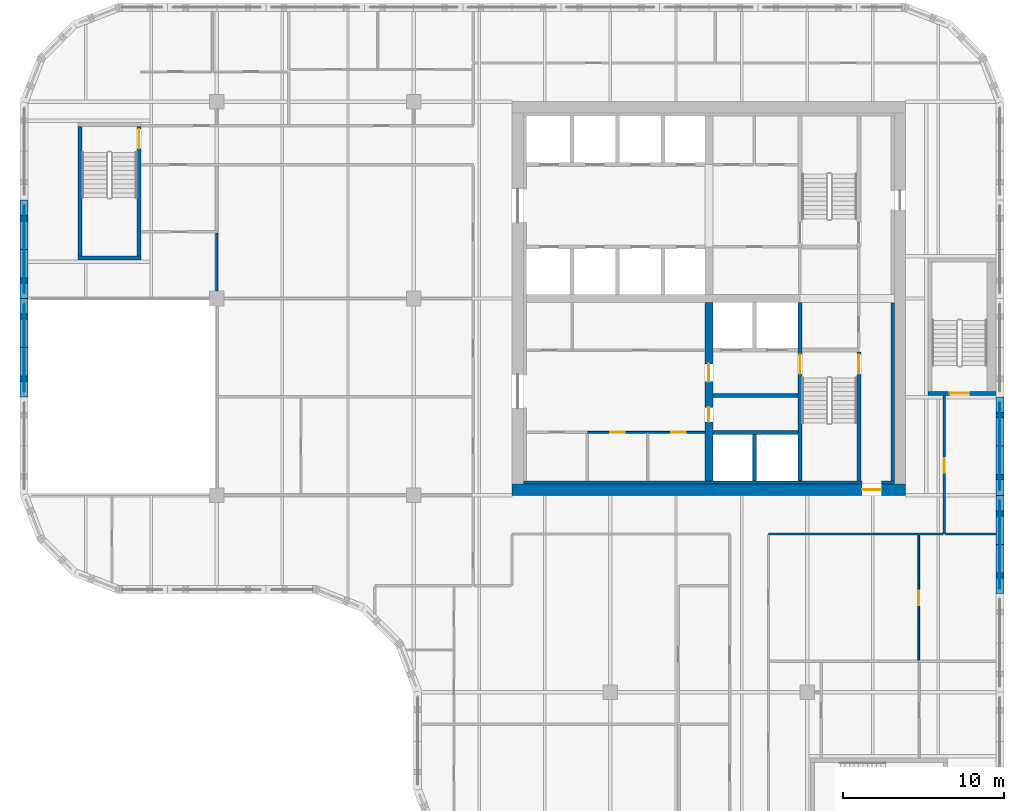
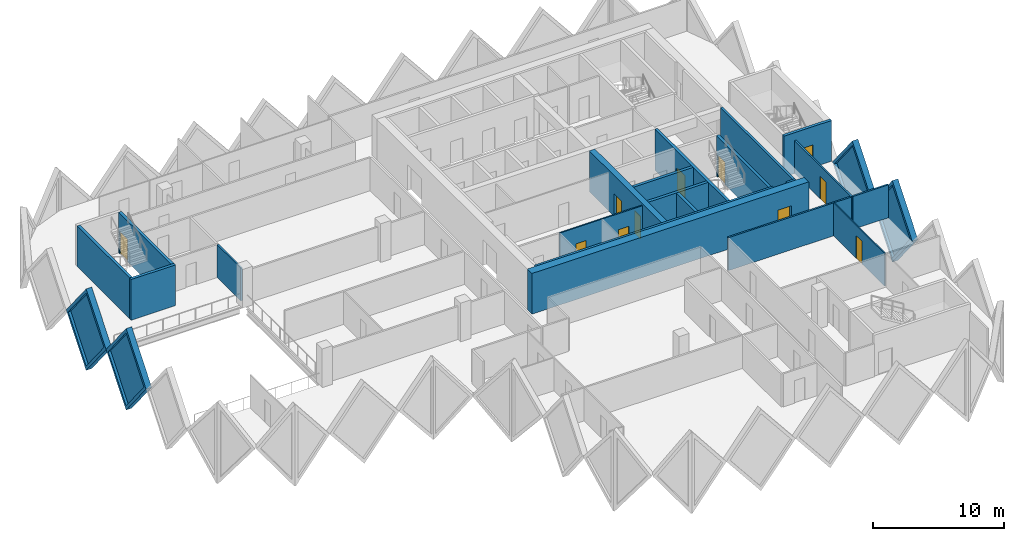
# One storey, part 6 of 12: 24 walls, 11 doors, 4 plates, 15 openings.
"""IFC4 building model written with IfcOpenShell, lengths in metres."""

import ifcopenshell
import ifcopenshell.guid

model = None  # the IFC model being written
_history = None  # IfcOwnerHistory: only IFC2X3 demands one
_inside = {}  # id of a spatial element -> (the spatial element, [elements in it])
_under = {}  # id of a project, library or spatial element -> (it, [spatial elements below it])
_declared = {}  # id of a project -> (the project, [libraries it declares])
_typed = {}  # id of a type object -> (the type object, [elements of that type])
_made_of = {}  # id of a material, layer set ... -> (it, [elements and type objects made of it])


def new_model(schema):
    """Start an empty IFC model of exactly this schema.

    Asked for "IFC4X3", IfcOpenShell would pick the latest addendum, in which some entities
    have other attributes; the version numbers below select the first issue.
    IFC2X3 requires an IfcOwnerHistory on every rooted entity: one is made here for all.
    """
    global model, _history
    if schema == "IFC4X3":
        model = ifcopenshell.file(schema_version=(4, 3, 0, 0))
    else:
        model = ifcopenshell.file(schema=schema)
    _inside.clear()
    _under.clear()
    _declared.clear()
    _typed.clear()
    _made_of.clear()
    _history = None
    if model.schema == "IFC2X3":
        org = make("IfcOrganization", Name="unknown")
        user = make(
            "IfcPersonAndOrganization",
            ThePerson=make("IfcPerson", FamilyName="unknown"),
            TheOrganization=org,
        )
        app = make(
            "IfcApplication",
            ApplicationDeveloper=org,
            Version="unknown",
            ApplicationFullName="unknown",
            ApplicationIdentifier="unknown",
        )
        _history = make(
            "IfcOwnerHistory",
            OwningUser=user,
            OwningApplication=app,
            ChangeAction="ADDED",
            CreationDate=0,
        )
    return model


def make(cls, **values):
    """One entity of the class cls with the attributes given. An attribute that is None is left unset."""
    return model.create_entity(
        cls, **{name: value for name, value in values.items() if value is not None}
    )


def rooted(cls, **values):
    """An entity with a GlobalId (a new one), such as an element, a storey or a relation."""
    return make(cls, GlobalId=ifcopenshell.guid.new(), OwnerHistory=_history, **values)


def si_unit(unit_type, name, prefix=None):
    """IfcSIUnit, for example si_unit("LENGTHUNIT", "METRE", prefix="MILLI")."""
    return make("IfcSIUnit", UnitType=unit_type, Prefix=prefix, Name=name)


def assignment(units):
    """IfcUnitAssignment: the units of a project."""
    return None if units is None else make("IfcUnitAssignment", Units=units)


def point(xyz):
    """IfcCartesianPoint."""
    return None if xyz is None else make("IfcCartesianPoint", Coordinates=xyz)


def direction(xyz):
    """IfcDirection."""
    return None if xyz is None else make("IfcDirection", DirectionRatios=xyz)


def frame(location, z_axis=None, x_axis=None):
    """IfcAxis2Placement3D, a coordinate frame: its origin and axes. An axis left out is left unset."""
    return make(
        "IfcAxis2Placement3D",
        Location=point(location),
        Axis=direction(z_axis),
        RefDirection=direction(x_axis),
    )


def frame_2d(location, x_axis=None):
    """IfcAxis2Placement2D, a coordinate frame in the plane: its origin and x axis."""
    return make(
        "IfcAxis2Placement2D", Location=point(location), RefDirection=direction(x_axis)
    )


def origin():
    """The frame at (0, 0, 0) with its axes left unset."""
    return frame((0.0, 0.0, 0.0))


def place(relative_to, where):
    """IfcLocalPlacement: puts the frame where relative to a parent placement (None: the world)."""
    return make(
        "IfcLocalPlacement", PlacementRelTo=relative_to, RelativePlacement=where
    )


def context(
    kind, dimensions, precision=None, world=None, true_north=None, identifier=None
):
    """IfcGeometricRepresentationContext, for example the 3D "Model" context."""
    return make(
        "IfcGeometricRepresentationContext",
        ContextIdentifier=identifier,
        ContextType=kind,
        CoordinateSpaceDimension=dimensions,
        Precision=precision,
        WorldCoordinateSystem=world,
        TrueNorth=true_north,
    )


def subcontext(parent, identifier, kind, view, scale=None):
    """IfcGeometricRepresentationSubContext, for example "Body" below "Model"."""
    return make(
        "IfcGeometricRepresentationSubContext",
        ContextIdentifier=identifier,
        ContextType=kind,
        ParentContext=parent,
        TargetScale=scale,
        TargetView=view,
    )


def project(units=None, contexts=None):
    """IfcProject with its units and contexts."""
    return rooted(
        "IfcProject",
        Name="project",
        RepresentationContexts=contexts,
        UnitsInContext=assignment(units),
    )


def spatial(cls, under=None, at=None, **own):
    """A site, building, storey or space (cls), placed at a placement, below another one or the project."""
    s = rooted(cls, ObjectPlacement=at, **own)
    if under is not None:
        _under.setdefault(under.id(), (under, []))[1].append(s)
    return s


def polyline(points):
    """IfcPolyline through the points."""
    return make("IfcPolyline", Points=[point(p) for p in points])


def profile(cls, at=None, kind="AREA", **sizes):
    """A parametric profile (cls). Its sizes go by their IFC names, for example OverallWidth=200.0."""
    return make(cls, ProfileType=kind, Position=at, **sizes)


def rectangle(**sizes):
    """IfcRectangleProfileDef."""
    return profile("IfcRectangleProfileDef", **sizes)


def outline(outer, holes=None, kind="AREA"):
    """IfcArbitraryClosedProfileDef: a profile drawn as a closed curve; with holes, ...WithVoids."""
    if holes is None:
        return make("IfcArbitraryClosedProfileDef", ProfileType=kind, OuterCurve=outer)
    return make(
        "IfcArbitraryProfileDefWithVoids",
        ProfileType=kind,
        OuterCurve=outer,
        InnerCurves=holes,
    )


def extrude(swept, where, along, depth):
    """IfcExtrudedAreaSolid: the profile swept, set in the frame where, extruded along a direction by depth."""
    return make(
        "IfcExtrudedAreaSolid",
        SweptArea=swept,
        Position=where,
        ExtrudedDirection=direction(along),
        Depth=depth,
    )


def faces_of(points, faces, orient=None, outer=None):
    """IfcFace entities. A face is a list of loops; a loop is a list of indices into points, from 0.

    orient and outer hold one flag for each loop. By default every Orientation is true, the
    first loop of a face is its IfcFaceOuterBound and the others are IfcFaceBound.
    """
    made = []
    for i, loops in enumerate(faces):
        bounds = []
        for j, loop in enumerate(loops):
            is_outer = j == 0 if outer is None else outer[i][j]
            bounds.append(
                make(
                    "IfcFaceOuterBound" if is_outer else "IfcFaceBound",
                    Bound=make("IfcPolyLoop", Polygon=[points[k] for k in loop]),
                    Orientation=True if orient is None else orient[i][j],
                )
            )
        made.append(make("IfcFace", Bounds=bounds))
    return made


def faceted_brep(points, faces, orient=None, outer=None, voids=None):
    """IfcFacetedBrep: a solid bounded by flat faces; with voids (closed shells), ...WithVoids."""
    shared = [point(p) for p in points]
    hull = make("IfcClosedShell", CfsFaces=faces_of(shared, faces, orient, outer))
    if voids is None:
        return make("IfcFacetedBrep", Outer=hull)
    return make(
        "IfcFacetedBrepWithVoids",
        Outer=hull,
        Voids=[
            make(cls, CfsFaces=faces_of(shared, fs, o, b)) for cls, fs, o, b in voids
        ],
    )


def shape(context_of_items, identifier, shape_type, items):
    """IfcShapeRepresentation: the items that make up one representation, for example the "Body"."""
    return make(
        "IfcShapeRepresentation",
        ContextOfItems=context_of_items,
        RepresentationIdentifier=identifier,
        RepresentationType=shape_type,
        Items=items,
    )


def source(mapping_origin, context_of_items, identifier, shape_type, items):
    """IfcRepresentationMap: a shape defined once, which mapped items show again and again."""
    return make(
        "IfcRepresentationMap",
        MappingOrigin=mapping_origin,
        MappedRepresentation=shape(context_of_items, identifier, shape_type, items),
    )


def transform(
    local_origin,
    x_axis=None,
    y_axis=None,
    z_axis=None,
    scale=None,
    scale2=None,
    scale3=None,
    uniform=True,
):
    """IfcCartesianTransformationOperator3D, or its non-uniform kind. x_axis, y_axis, z_axis: its Axis1, 2, 3."""
    if uniform:
        return make(
            "IfcCartesianTransformationOperator3D",
            Axis1=direction(x_axis),
            Axis2=direction(y_axis),
            LocalOrigin=point(local_origin),
            Scale=scale,
            Axis3=direction(z_axis),
        )
    return make(
        "IfcCartesianTransformationOperator3DnonUniform",
        Axis1=direction(x_axis),
        Axis2=direction(y_axis),
        LocalOrigin=point(local_origin),
        Scale=scale,
        Axis3=direction(z_axis),
        Scale2=scale2,
        Scale3=scale3,
    )


def mapped(mapping_source, mapping_target):
    """IfcMappedItem: shows the shape of a source again, moved by a transform."""
    return make(
        "IfcMappedItem", MappingSource=mapping_source, MappingTarget=mapping_target
    )


def material(Name=None, Category=None):
    """IfcMaterial."""
    return make("IfcMaterial", Name=Name, Category=Category)


def layer(
    of_material, thickness, ventilated=None, Name=None, Category=None, Priority=None
):
    """IfcMaterialLayer: one layer of a wall or slab, of a material (None: an air gap)."""
    return make(
        "IfcMaterialLayer",
        Material=of_material,
        LayerThickness=thickness,
        IsVentilated=ventilated,
        Name=Name,
        Category=Category,
        Priority=Priority,
    )


def layer_set(layers, Name=None):
    """IfcMaterialLayerSet."""
    return make("IfcMaterialLayerSet", MaterialLayers=layers, LayerSetName=Name)


def made_of(thing, what):
    """Note that an element or type object is made of a material, layer set ...; save() writes the relation."""
    if what is not None:
        _made_of.setdefault(what.id(), (what, []))[1].append(thing)
    return thing


def type_object(cls, material=None, **own):
    """A type object (cls), such as IfcWallType, which elements share."""
    return made_of(rooted(cls, **own), material)


def element(
    cls,
    number,
    at=None,
    inside=None,
    cuts=None,
    type_object=None,
    material=None,
    context=None,
    identifier="Body",
    shape_type=None,
    held_by="IfcProductDefinitionShape",
    body=None,
    shapes=None,
    **own,
):
    """One element of the class cls, such as IfcWall. Its Tag is "e" and its number.

    at: its placement. inside: the storey or other place that contains it. cuts: it is an
    opening in that element (IfcRelVoidsElement). A single representation is given by context,
    identifier, shape_type and body (its items); several are given by shapes. held_by: the class
    of the entity that holds the representations. save() writes the other relations.
    """
    e = rooted(cls, Tag="e%d" % number, ObjectPlacement=at, **own)
    if body is not None:
        shapes = [shape(context, identifier, shape_type, body)]
    if shapes is not None:
        e.Representation = make(held_by, Representations=shapes)
    if inside is not None:
        _inside.setdefault(inside.id(), (inside, []))[1].append(e)
    if cuts is not None:
        rooted(
            "IfcRelVoidsElement", RelatingBuildingElement=cuts, RelatedOpeningElement=e
        )
    if type_object is not None:
        _typed.setdefault(type_object.id(), (type_object, []))[1].append(e)
    return made_of(e, material)


def fill(opening, filler):
    """IfcRelFillsElement: the door or window that sits in an opening."""
    return rooted(
        "IfcRelFillsElement",
        RelatingOpeningElement=opening,
        RelatedBuildingElement=filler,
    )


def aggregate(whole, parts):
    """IfcRelAggregates: a whole, such as a stair, and the parts it consists of."""
    return rooted("IfcRelAggregates", RelatingObject=whole, RelatedObjects=parts)


def save(model, path):
    """Write the relations noted so far, then the file.

    IfcRelAggregates (storeys below a building ...), IfcRelContainedInSpatialStructure (elements
    in a storey), IfcRelDefinesByType, IfcRelAssociatesMaterial and IfcRelDeclares: one each for
    every whole, place, type object, material and project.
    """
    for whole, parts in _under.values():
        aggregate(whole, parts)
    for where, things in _inside.values():
        rooted(
            "IfcRelContainedInSpatialStructure",
            RelatedElements=things,
            RelatingStructure=where,
        )
    for kind, things in _typed.values():
        rooted("IfcRelDefinesByType", RelatedObjects=things, RelatingType=kind)
    for what, things in _made_of.values():
        rooted("IfcRelAssociatesMaterial", RelatedObjects=things, RelatingMaterial=what)
    for by, libraries in _declared.values():
        rooted("IfcRelDeclares", RelatingContext=by, RelatedDefinitions=libraries)
    model.write(path)


model = new_model("IFC4")

# Units and contexts
model_context = context("Model", 3, precision=1e-05, world=origin(), true_north=direction((0.0, 1.0)))
body_context = subcontext(model_context, "Body", "Model", "MODEL_VIEW")
ifc_project = project(units=[si_unit("LENGTHUNIT", "METRE"), si_unit("AREAUNIT", "SQUARE_METRE"), si_unit("VOLUMEUNIT", "CUBIC_METRE"), si_unit("PLANEANGLEUNIT", "RADIAN"), si_unit("MASSUNIT", "GRAM", prefix="KILO")], contexts=[model_context])

# Site, building, storey
site_placement = place(None, origin())
site = spatial("IfcSite", under=ifc_project, at=site_placement, CompositionType="ELEMENT")
building_placement = place(site_placement, origin())
building = spatial("IfcBuilding", under=site, at=building_placement, Name="Tessera Gate Towers", CompositionType="ELEMENT")
storey_placement = place(building_placement, frame((0.0, 0.0, 143.0)))
storey = spatial("IfcBuildingStorey", under=building, at=storey_placement, Name="L35", CompositionType="ELEMENT", Elevation=143.0)

# Wall, opening, door
ifc_material_1 = material(Name="Concrete C40/50", Category="concrete")
ifc_layer_1 = layer(ifc_material_1, 0.25)
ifc_layer_set_1 = layer_set([ifc_layer_1], Name="CORE ENCLOSURE WALL 250")
wall_type_1 = type_object("IfcWallType", Name="CORE ENCLOSURE WALL 250", PredefinedType="SOLIDWALL", material=ifc_layer_set_1)
wall_1_placement = place(storey_placement, frame((48.35009765625, 36.35009765625, 0.0), z_axis=(0.0, 0.0, 1.0), x_axis=(0.0, -1.0, 0.0)))
wall_1 = element("IfcWall", 1, at=wall_1_placement, inside=storey, type_object=wall_type_1, Name="L35 shaft and stair enclosure wall", PredefinedType="SOLIDWALL", context=body_context, shape_type="SweptSolid", body=[
    extrude(rectangle(XDim=11.050048828125, YDim=0.25, at=frame_2d((5.52490234375, 0.0))), origin(), (0.0, 0.0, 1.0), 3.800048828125),
])
shared_shape_1 = source(origin(), body_context, "Body", "SweptSolid", [
    extrude(rectangle(XDim=1.199951171875, YDim=2.10009765625, at=frame_2d((0.60009765625, 1.050048828125))), frame((0.0, 0.135009765625, 0.0), z_axis=(0.0, -1.0, 0.0), x_axis=(1.0, 0.0, 0.0)), (0.0, 0.0, 1.0), 0.27001953125),
])
opening_1_placement = place(wall_1_placement, frame((3.22509765625, 0.0, 0.0)))
opening_1 = element("IfcOpeningElement", 2, at=opening_1_placement, cuts=wall_1, Name="Opening SD-ST1-1", PredefinedType="OPENING", context=body_context, shape_type="MappedRepresentation", body=[
    mapped(shared_shape_1, transform((0.0, 0.0, 0.0), scale=1.0)),
])
ifc_material_2 = material(Name="Hollow steel fire door", Category="steel")
door_type_1 = type_object("IfcDoorType", Name="CORE DOOR SD 1200x2100", OperationType="NOTDEFINED", PredefinedType="DOOR", material=ifc_material_2)
shared_shape_2 = source(origin(), body_context, "Body", "SweptSolid", [
    extrude(rectangle(XDim=1.199951171875, YDim=2.10009765625, at=frame_2d((0.60009765625, 1.050048828125))), frame((0.0, 0.02490234375, 0.0), z_axis=(0.0, -1.0, 0.0), x_axis=(1.0, 0.0, 0.0)), (0.0, 0.0, 1.0), 0.050048828125),
])
door_1_placement = place(opening_1_placement, origin())
door_1 = element("IfcDoor", 3, at=door_1_placement, inside=storey, type_object=door_type_1, Name="Stair door", OperationType="SINGLE_SWING_LEFT", OverallHeight=2.10009765625, OverallWidth=1.199951171875, PredefinedType="DOOR", context=body_context, shape_type="MappedRepresentation", body=[
    mapped(shared_shape_2, transform((0.0, 0.0, 0.0), scale=1.0)),
])
fill(opening_1, door_1)

wall_2_placement = place(storey_placement, frame((52.0, 25.300048828125, 0.0), z_axis=(0.0, 0.0, 1.0), x_axis=(0.0, 1.0, 0.0)))
wall_2 = element("IfcWall", 4, at=wall_2_placement, inside=storey, type_object=wall_type_1, Name="L35 shaft and stair enclosure wall", PredefinedType="SOLIDWALL", context=body_context, shape_type="SweptSolid", body=[
    extrude(rectangle(XDim=7.974853515625, YDim=0.25, at=frame_2d((3.9873046875, 0.0))), origin(), (0.0, 0.0, 1.0), 3.800048828125),
])
opening_2_placement = place(wall_2_placement, frame((6.625, 0.0, 0.0)))
opening_2 = element("IfcOpeningElement", 5, at=opening_2_placement, cuts=wall_2, Name="Opening SD-ST1-2", PredefinedType="OPENING", context=body_context, shape_type="MappedRepresentation", body=[
    mapped(shared_shape_1, transform((0.0, 0.0, 0.0), scale=1.0)),
])
door_2_placement = place(opening_2_placement, origin())
door_2 = element("IfcDoor", 6, at=door_2_placement, inside=storey, type_object=door_type_1, Name="Stair door", OperationType="SINGLE_SWING_RIGHT", OverallHeight=2.10009765625, OverallWidth=1.199951171875, PredefinedType="DOOR", context=body_context, shape_type="MappedRepresentation", body=[
    mapped(shared_shape_2, transform((0.0, 0.0, 0.0), scale=1.0)),
])
fill(opening_2, door_2)

# Walls
for number, where, z_axis, x_axis, name in (
    (7, (42.949951171875, 28.300048828125, 0.0), (0.0, 0.0, 1.0), (1.0, 0.0, 0.0), "L35 shaft and stair enclosure wall"),
    (8, (42.949951171875, 30.60009765625, 0.0), (0.0, 0.0, 1.0), (1.0, 0.0, 0.0), "L35 shaft and stair enclosure wall"),
):
    element("IfcWall", number, at=place(storey_placement, frame(where, z_axis=z_axis, x_axis=x_axis)), inside=storey, type_object=wall_type_1, Name=name, PredefinedType="SOLIDWALL", context=body_context, shape_type="SweptSolid", body=[
        extrude(rectangle(XDim=5.275146484375, YDim=0.25, at=frame_2d((2.6376953125, 0.0))), origin(), (0.0, 0.0, 1.0), 3.800048828125),
    ])
wall_3_placement = place(storey_placement, frame((45.52490234375, 25.300048828125, 0.0), z_axis=(0.0, 0.0, 1.0), x_axis=(0.0, 1.0, 0.0)))
element("IfcWall", 9, at=wall_3_placement, inside=storey, type_object=wall_type_1, Name="L35 shaft and stair enclosure wall", PredefinedType="SOLIDWALL", context=body_context, shape_type="SweptSolid", body=[
    extrude(rectangle(XDim=2.875, YDim=0.25, at=frame_2d((1.4375, 0.0))), origin(), (0.0, 0.0, 1.0), 3.800048828125),
])
wall_4_placement = place(storey_placement, frame((7.5, 39.125, 0.0), z_axis=(0.0, 0.0, 1.0), x_axis=(-1.0, 0.0, 0.0)))
element("IfcWall", 10, at=wall_4_placement, inside=storey, type_object=wall_type_1, Name="L35 ST3 enclosure wall", PredefinedType="SOLIDWALL", context=body_context, shape_type="SweptSolid", body=[
    extrude(rectangle(XDim=3.89990234375, YDim=0.25, at=frame_2d((1.949951171875, 0.0))), origin(), (0.0, 0.0, 1.0), 3.800048828125),
])
wall_5_placement = place(storey_placement, frame((3.72509765625, 39.25, 0.0), z_axis=(0.0, 0.0, 1.0), x_axis=(0.0, 1.0, 0.0)))
element("IfcWall", 11, at=wall_5_placement, inside=storey, type_object=wall_type_1, Name="L35 ST3 enclosure wall", PredefinedType="SOLIDWALL", context=body_context, shape_type="SweptSolid", body=[
    extrude(rectangle(XDim=8.0, YDim=0.25, at=frame_2d((4.0, 0.0))), origin(), (0.0, 0.0, 1.0), 3.800048828125),
])

# Wall, opening, door
wall_6_placement = place(storey_placement, frame((7.375, 47.25, 0.0), z_axis=(0.0, 0.0, 1.0), x_axis=(0.0, -1.0, 0.0)))
wall_6 = element("IfcWall", 12, at=wall_6_placement, inside=storey, type_object=wall_type_1, Name="L35 ST3 enclosure wall", PredefinedType="SOLIDWALL", context=body_context, shape_type="SweptSolid", body=[
    extrude(rectangle(XDim=8.0, YDim=0.25, at=frame_2d((4.0, 0.0))), origin(), (0.0, 0.0, 1.0), 3.800048828125),
])
opening_3_placement = place(wall_6_placement, frame((0.14990234375, 0.0, 0.0)))
opening_3 = element("IfcOpeningElement", 13, at=opening_3_placement, cuts=wall_6, Name="Opening SD-ST3-1", PredefinedType="OPENING", context=body_context, shape_type="MappedRepresentation", body=[
    mapped(shared_shape_1, transform((0.0, 0.0, 0.0), scale=1.0)),
])
door_3_placement = place(opening_3_placement, origin())
door_3 = element("IfcDoor", 14, at=door_3_placement, inside=storey, type_object=door_type_1, Name="Stair door", OperationType="SINGLE_SWING_LEFT", OverallHeight=2.10009765625, OverallWidth=1.199951171875, PredefinedType="DOOR", context=body_context, shape_type="MappedRepresentation", body=[
    mapped(shared_shape_2, transform((0.0, 0.0, 0.0), scale=1.0)),
])
fill(opening_3, door_3)

wall_7_placement = place(storey_placement, frame((60.5, 30.72509765625, 0.0), z_axis=(0.0, 0.0, 1.0), x_axis=(-1.0, 0.0, 0.0)))
wall_7 = element("IfcWall", 15, at=wall_7_placement, inside=storey, type_object=wall_type_1, Name="L35 ST5 enclosure wall", PredefinedType="SOLIDWALL", context=body_context, shape_type="SweptSolid", body=[
    extrude(rectangle(XDim=4.199951171875, YDim=0.25, at=frame_2d((2.10009765625, 0.0))), origin(), (0.0, 0.0, 1.0), 3.800048828125),
])
opening_4_placement = place(wall_7_placement, frame((1.64990234375, 0.0, 0.0)))
opening_4 = element("IfcOpeningElement", 16, at=opening_4_placement, cuts=wall_7, Name="Opening SD-ST5-1", PredefinedType="OPENING", context=body_context, shape_type="MappedRepresentation", body=[
    mapped(shared_shape_1, transform((0.0, 0.0, 0.0), scale=1.0)),
])
door_4_placement = place(opening_4_placement, origin())
door_4 = element("IfcDoor", 17, at=door_4_placement, inside=storey, type_object=door_type_1, Name="Stair door", OperationType="SINGLE_SWING_RIGHT", OverallHeight=2.10009765625, OverallWidth=1.199951171875, PredefinedType="DOOR", context=body_context, shape_type="MappedRepresentation", body=[
    mapped(shared_shape_2, transform((0.0, 0.0, 0.0), scale=1.0)),
])
fill(opening_4, door_4)

# Wall, openings, doors
ifc_material_3 = material(Name="Gypsum board on steel studs", Category="steel")
ifc_layer_2 = layer(ifc_material_3, 0.1201171875)
ifc_layer_set_2 = layer_set([ifc_layer_2], Name="CORE PARTITION 120")
wall_type_2 = type_object("IfcWallType", Name="CORE PARTITION 120", PredefinedType="PARTITIONING", material=ifc_layer_set_2)
wall_8_placement = place(storey_placement, frame((42.449951171875, 28.300048828125, 0.0), z_axis=(0.0, 0.0, 1.0), x_axis=(-1.0, 0.0, 0.0)))
wall_8 = element("IfcWall", 18, at=wall_8_placement, inside=storey, type_object=wall_type_2, Name="L35 core partition", PredefinedType="PARTITIONING", context=body_context, shape_type="SweptSolid", body=[
    extrude(rectangle(XDim=7.27490234375, YDim=0.1201171875, at=frame_2d((3.637451171875, 0.0))), origin(), (0.0, 0.0, 1.0), 3.60009765625),
])
shared_shape_3 = source(origin(), body_context, "Body", "SweptSolid", [
    extrude(rectangle(XDim=0.89990234375, YDim=2.10009765625, at=frame_2d((0.449951171875, 1.050048828125))), frame((0.0, 0.070068359375, 0.0), z_axis=(0.0, -1.0, 0.0), x_axis=(1.0, 0.0, 0.0)), (0.0, 0.0, 1.0), 0.14013671875),
])
opening_5_placement = place(wall_8_placement, frame((4.949951171875, 0.0, 0.0)))
opening_5 = element("IfcOpeningElement", 19, at=opening_5_placement, cuts=wall_8, Name="Opening RD-T1-23-09", PredefinedType="OPENING", context=body_context, shape_type="MappedRepresentation", body=[
    mapped(shared_shape_3, transform((0.0, 0.0, 0.0), scale=1.0)),
])
opening_6_placement = place(wall_8_placement, frame((1.1875, 0.0, 0.0)))
opening_6 = element("IfcOpeningElement", 20, at=opening_6_placement, cuts=wall_8, Name="Opening RD-T1-23-10", PredefinedType="OPENING", context=body_context, shape_type="MappedRepresentation", body=[
    mapped(shared_shape_3, transform((0.0, 0.0, 0.0), scale=1.0)),
])
ifc_material_4 = material(Name="Hollow steel fire door", Category="steel")
door_type_2 = type_object("IfcDoorType", Name="CORE DOOR RD 900x2100", OperationType="NOTDEFINED", PredefinedType="DOOR", material=ifc_material_4)
shared_shape_4 = source(origin(), body_context, "Body", "SweptSolid", [
    extrude(rectangle(XDim=0.89990234375, YDim=2.10009765625, at=frame_2d((0.449951171875, 1.050048828125))), frame((0.0, 0.02490234375, 0.0), z_axis=(0.0, -1.0, 0.0), x_axis=(1.0, 0.0, 0.0)), (0.0, 0.0, 1.0), 0.050048828125),
])
door_5_placement = place(opening_5_placement, origin())
door_5 = element("IfcDoor", 21, at=door_5_placement, inside=storey, type_object=door_type_2, Name="Core room door", OperationType="SINGLE_SWING_RIGHT", OverallHeight=2.10009765625, OverallWidth=0.89990234375, PredefinedType="DOOR", context=body_context, shape_type="MappedRepresentation", body=[
    mapped(shared_shape_4, transform((0.0, 0.0, 0.0), scale=1.0)),
])
fill(opening_5, door_5)
door_6_placement = place(opening_6_placement, origin())
door_6 = element("IfcDoor", 22, at=door_6_placement, inside=storey, type_object=door_type_2, Name="Core room door", OperationType="SINGLE_SWING_LEFT", OverallHeight=2.10009765625, OverallWidth=0.89990234375, PredefinedType="DOOR", context=body_context, shape_type="MappedRepresentation", body=[
    mapped(shared_shape_4, transform((0.0, 0.0, 0.0), scale=1.0)),
])
fill(opening_6, door_6)

# Wall, opening, door
ifc_material_5 = material(Name="Concrete C60/75", Category="concrete")
ifc_layer_3 = layer(ifc_material_5, 0.699951171875)
ifc_layer_set_3 = layer_set([ifc_layer_3], Name="CORE SHEAR WALL 700 C60/75")
wall_type_3 = type_object("IfcWallType", Name="CORE SHEAR WALL 700 C60/75", PredefinedType="SHEAR", material=ifc_layer_set_3)
wall_9_placement = place(storey_placement, frame((54.89990234375, 24.75, 0.0), z_axis=(0.0, 0.0, 1.0), x_axis=(-1.0, 0.0, 0.0)))
wall_9 = element("IfcWall", 23, at=wall_9_placement, inside=storey, type_object=wall_type_3, Name="Core wall S L35", PredefinedType="SHEAR", context=body_context, shape_type="SweptSolid", body=[
    extrude(rectangle(XDim=24.39990234375, YDim=0.699951171875, at=frame_2d((12.199951171875, 0.0))), origin(), (0.0, 0.0, 1.0), 3.800048828125),
])
shared_shape_5 = source(origin(), body_context, "Body", "SweptSolid", [
    extrude(rectangle(XDim=1.199951171875, YDim=2.10009765625, at=frame_2d((0.60009765625, 1.050048828125))), frame((0.0, 0.35986328125, 0.0), z_axis=(0.0, -1.0, 0.0), x_axis=(1.0, 0.0, 0.0)), (0.0, 0.0, 1.0), 0.719970703125),
])
opening_7_placement = place(wall_9_placement, frame((1.5, 0.0, 0.0)))
opening_7 = element("IfcOpeningElement", 24, at=opening_7_placement, cuts=wall_9, Name="Opening ED-T1-23-01", PredefinedType="OPENING", context=body_context, shape_type="MappedRepresentation", body=[
    mapped(shared_shape_5, transform((0.0, 0.0, 0.0), scale=1.0)),
])
ifc_material_6 = material(Name="Hollow steel fire door", Category="steel")
door_type_3 = type_object("IfcDoorType", Name="CORE DOOR ED 1200x2100", OperationType="NOTDEFINED", PredefinedType="DOOR", material=ifc_material_6)
door_7_placement = place(opening_7_placement, origin())
door_7 = element("IfcDoor", 25, at=door_7_placement, inside=storey, type_object=door_type_3, Name="Core exit door", OperationType="SINGLE_SWING_LEFT", OverallHeight=2.10009765625, OverallWidth=1.199951171875, PredefinedType="DOOR", context=body_context, shape_type="MappedRepresentation", body=[
    mapped(shared_shape_2, transform((0.0, 0.0, 0.0), scale=1.0)),
])
fill(opening_7, door_7)

# Wall, openings, doors
ifc_material_7 = material(Name="Concrete C60/75", Category="concrete")
ifc_layer_4 = layer(ifc_material_7, 0.5)
ifc_layer_set_4 = layer_set([ifc_layer_4], Name="CORE SPINE WALL 500 C60/75")
wall_type_4 = type_object("IfcWallType", Name="CORE SPINE WALL 500 C60/75", PredefinedType="SHEAR", material=ifc_layer_set_4)
wall_10_placement = place(storey_placement, frame((42.699951171875, 36.35009765625, 0.0), z_axis=(0.0, 0.0, 1.0), x_axis=(0.0, -1.0, 0.0)))
wall_10 = element("IfcWall", 26, at=wall_10_placement, inside=storey, type_object=wall_type_4, Name="Core wall spine L35", PredefinedType="SHEAR", context=body_context, shape_type="SweptSolid", body=[
    extrude(rectangle(XDim=11.050048828125, YDim=0.5, at=frame_2d((5.52490234375, 0.0))), origin(), (0.0, 0.0, 1.0), 3.800048828125),
])
shared_shape_6 = source(origin(), body_context, "Body", "SweptSolid", [
    extrude(rectangle(XDim=0.89990234375, YDim=2.10009765625, at=frame_2d((0.449951171875, 1.050048828125))), frame((0.0, 0.260009765625, 0.0), z_axis=(0.0, -1.0, 0.0), x_axis=(1.0, 0.0, 0.0)), (0.0, 0.0, 1.0), 0.52001953125),
])
opening_8_placement = place(wall_10_placement, frame((6.5, 0.0, 0.0)))
opening_8 = element("IfcOpeningElement", 27, at=opening_8_placement, cuts=wall_10, Name="Opening RD-T1-23-05", PredefinedType="OPENING", context=body_context, shape_type="MappedRepresentation", body=[
    mapped(shared_shape_6, transform((0.0, 0.0, 0.0), scale=1.0)),
])
shared_shape_7 = source(origin(), body_context, "Body", "SweptSolid", [
    extrude(rectangle(XDim=1.10009765625, YDim=2.10009765625, at=frame_2d((0.550048828125, 1.050048828125))), frame((0.0, 0.260009765625, 0.0), z_axis=(0.0, -1.0, 0.0), x_axis=(1.0, 0.0, 0.0)), (0.0, 0.0, 1.0), 0.52001953125),
])
opening_9_placement = place(wall_10_placement, frame((3.800048828125, 0.0, 0.0)))
opening_9 = element("IfcOpeningElement", 28, at=opening_9_placement, cuts=wall_10, Name="Opening FD-T1-23-06", PredefinedType="OPENING", context=body_context, shape_type="MappedRepresentation", body=[
    mapped(shared_shape_7, transform((0.0, 0.0, 0.0), scale=1.0)),
])
door_8_placement = place(opening_8_placement, origin())
door_8 = element("IfcDoor", 29, at=door_8_placement, inside=storey, type_object=door_type_2, Name="Core room door", OperationType="SINGLE_SWING_RIGHT", OverallHeight=2.10009765625, OverallWidth=0.89990234375, PredefinedType="DOOR", context=body_context, shape_type="MappedRepresentation", body=[
    mapped(shared_shape_4, transform((0.0, 0.0, 0.0), scale=1.0)),
])
fill(opening_8, door_8)
ifc_material_8 = material(Name="Hollow steel fire door", Category="steel")
door_type_4 = type_object("IfcDoorType", Name="CORE DOOR FD 1100x2100", OperationType="NOTDEFINED", PredefinedType="DOOR", material=ifc_material_8)
shared_shape_8 = source(origin(), body_context, "Body", "SweptSolid", [
    extrude(rectangle(XDim=1.10009765625, YDim=2.10009765625, at=frame_2d((0.550048828125, 1.050048828125))), frame((0.0, 0.02490234375, 0.0), z_axis=(0.0, -1.0, 0.0), x_axis=(1.0, 0.0, 0.0)), (0.0, 0.0, 1.0), 0.050048828125),
])
door_9_placement = place(opening_9_placement, origin())
door_9 = element("IfcDoor", 30, at=door_9_placement, inside=storey, type_object=door_type_4, Name="Fire-fighting lobby door", OperationType="SINGLE_SWING_LEFT", OverallHeight=2.10009765625, OverallWidth=1.10009765625, PredefinedType="DOOR", context=body_context, shape_type="MappedRepresentation", body=[
    mapped(shared_shape_8, transform((0.0, 0.0, 0.0), scale=1.0)),
])
fill(opening_9, door_9)

# Walls
ifc_material_9 = material(Name="Concrete C60/75", Category="concrete")
ifc_layer_5 = layer(ifc_material_9, 0.199951171875)
ifc_layer_set_5 = layer_set([ifc_layer_5], Name="CORE WALL THICKENING 200")
wall_type_5 = type_object("IfcWallType", Name="CORE WALL THICKENING 200", PredefinedType="SOLIDWALL", material=ifc_layer_set_5)
wall_11_placement = place(storey_placement, frame((31.199951171875, 25.199951171875, 0.0), z_axis=(0.0, 0.0, 1.0), x_axis=(1.0, 0.0, 0.0)))
element("IfcWall", 31, at=wall_11_placement, inside=storey, type_object=wall_type_5, Name="Core wall thickening S L35", PredefinedType="SOLIDWALL", context=body_context, shape_type="SweptSolid", body=[
    extrude(rectangle(XDim=21.0, YDim=0.199951171875, at=frame_2d((10.5, 0.0))), origin(), (0.0, 0.0, 1.0), 3.800048828125),
])
wall_12_placement = place(storey_placement, frame((53.39990234375, 25.199951171875, 0.0), z_axis=(0.0, 0.0, 1.0), x_axis=(1.0, 0.0, 0.0)))
element("IfcWall", 32, at=wall_12_placement, inside=storey, type_object=wall_type_5, Name="Core wall thickening S L35", PredefinedType="SOLIDWALL", context=body_context, shape_type="SweptSolid", body=[
    extrude(rectangle(XDim=0.800048828125, YDim=0.199951171875, at=frame_2d((0.39990234375, 0.0))), origin(), (0.0, 0.0, 1.0), 3.800048828125),
])
wall_13_placement = place(storey_placement, frame((54.10009765625, 25.300048828125, 0.0), z_axis=(0.0, 0.0, 1.0), x_axis=(0.0, 1.0, 0.0)))
element("IfcWall", 33, at=wall_13_placement, inside=storey, type_object=wall_type_5, Name="Core wall thickening E L35", PredefinedType="SOLIDWALL", context=body_context, shape_type="SweptSolid", body=[
    extrude(rectangle(XDim=11.02001953125, YDim=0.199951171875, at=frame_2d((5.510009765625, 0.0))), origin(), (0.0, 0.0, 1.0), 3.800048828125),
])
ifc_material_10 = material(Name="Gypsum board on steel studs, mineral wool", Category="steel")
ifc_layer_6 = layer(ifc_material_10, 0.14990234375)
ifc_layer_set_6 = layer_set([ifc_layer_6], Name="CORRIDOR WALL 150")
wall_type_6 = type_object("IfcWallType", Name="CORRIDOR WALL 150", PredefinedType="PARTITIONING", material=ifc_layer_set_6)
wall_14_placement = place(storey_placement, frame((46.39990234375, 22.0, 0.0), z_axis=(0.0, 0.0, 1.0), x_axis=(1.0, 0.0, 0.0)))
element("IfcWall", 34, at=wall_14_placement, inside=storey, type_object=wall_type_6, Name="T1-L35-PW-028", PredefinedType="PARTITIONING", context=body_context, shape_type="SweptSolid", body=[
    extrude(rectangle(XDim=10.82421875, YDim=0.14990234375, at=frame_2d((5.412109375, 0.0))), origin(), (0.0, 0.0, 1.0), 3.06689453125),
])

# Wall, opening, door
wall_15_placement = place(storey_placement, frame((57.300048828125, 30.60009765625, 0.0), z_axis=(0.0, 0.0, 1.0), x_axis=(0.0, -1.0, 0.0)))
wall_15 = element("IfcWall", 35, at=wall_15_placement, inside=storey, type_object=wall_type_6, Name="T1-L35-PW-029", PredefinedType="PARTITIONING", context=body_context, shape_type="SweptSolid", body=[
    extrude(rectangle(XDim=8.60009765625, YDim=0.14990234375, at=frame_2d((4.300048828125, 0.0))), origin(), (0.0, 0.0, 1.0), 3.06689453125),
])
shared_shape_9 = source(origin(), body_context, "Body", "SweptSolid", [
    extrude(rectangle(XDim=0.89990234375, YDim=2.10009765625, at=frame_2d((0.449951171875, 1.050048828125))), frame((0.0, 0.0849609375, 0.0), z_axis=(0.0, -1.0, 0.0), x_axis=(1.0, 0.0, 0.0)), (0.0, 0.0, 1.0), 0.169921875),
])
opening_10_placement = place(wall_15_placement, frame((3.89990234375, 0.0, 0.0)))
opening_10 = element("IfcOpeningElement", 36, at=opening_10_placement, cuts=wall_15, Name="Opening D890FD60-A13-04", PredefinedType="OPENING", context=body_context, shape_type="MappedRepresentation", body=[
    mapped(shared_shape_9, transform((0.0, 0.0, 0.0), scale=1.0)),
])
ifc_material_11 = material(Name="Timber door leaf in steel frame", Category="steel")
door_type_5 = type_object("IfcDoorType", Name="CORRIDOR DOOR 900 FD60", OperationType="NOTDEFINED", PredefinedType="DOOR", material=ifc_material_11)
door_10_placement = place(opening_10_placement, origin())
door_10 = element("IfcDoor", 37, at=door_10_placement, inside=storey, type_object=door_type_5, Name="T1-L35-PD-021", OperationType="SINGLE_SWING_RIGHT", OverallHeight=2.10009765625, OverallWidth=0.89990234375, PredefinedType="DOOR", context=body_context, shape_type="MappedRepresentation", body=[
    mapped(shared_shape_4, transform((0.0, 0.0, 0.0), scale=1.0)),
])
fill(opening_10, door_10)

ifc_material_12 = material(Name="Glass", Category="glass")
ifc_layer_7 = layer(ifc_material_12, 0.10009765625)
ifc_layer_set_7 = layer_set([ifc_layer_7], Name="GLAZED PARTITION 100")
wall_type_7 = type_object("IfcWallType", Name="GLAZED PARTITION 100", PredefinedType="PARTITIONING", material=ifc_layer_set_7)
wall_16_placement = place(storey_placement, frame((55.715087890625, 21.924072265625, 0.0), z_axis=(0.0, 0.0, 1.0), x_axis=(0.0, -1.0, 0.0)))
wall_16 = element("IfcWall", 38, at=wall_16_placement, inside=storey, type_object=wall_type_7, Name="T1-L35-PW-018", PredefinedType="PARTITIONING", context=body_context, shape_type="SweptSolid", body=[
    extrude(rectangle(XDim=7.748046875, YDim=0.10009765625, at=frame_2d((3.8740234375, 0.0))), origin(), (0.0, 0.0, 1.0), 3.06689453125),
])
shared_shape_10 = source(origin(), body_context, "Body", "SweptSolid", [
    extrude(rectangle(XDim=0.89990234375, YDim=2.10009765625, at=frame_2d((0.449951171875, 1.050048828125))), frame((0.0, 0.06005859375, 0.0), z_axis=(0.0, -1.0, 0.0), x_axis=(1.0, 0.0, 0.0)), (0.0, 0.0, 1.0), 0.1201171875),
])
opening_11_placement = place(wall_16_placement, frame((3.447998046875, 0.0, 0.0)))
opening_11 = element("IfcOpeningElement", 39, at=opening_11_placement, cuts=wall_16, Name="Opening D690-A13-04", PredefinedType="OPENING", context=body_context, shape_type="MappedRepresentation", body=[
    mapped(shared_shape_10, transform((0.0, 0.0, 0.0), scale=1.0)),
])
ifc_material_13 = material(Name="Glass in aluminium frame", Category="aluminium")
door_type_6 = type_object("IfcDoorType", Name="GLAZED DOOR 900 NOT RATED", OperationType="NOTDEFINED", PredefinedType="DOOR", material=ifc_material_13)
door_11_placement = place(opening_11_placement, origin())
door_11 = element("IfcDoor", 40, at=door_11_placement, inside=storey, type_object=door_type_6, Name="T1-L35-PD-018", OperationType="SINGLE_SWING_RIGHT", OverallHeight=2.10009765625, OverallWidth=0.89990234375, PredefinedType="DOOR", context=body_context, shape_type="MappedRepresentation", body=[
    mapped(shared_shape_4, transform((0.0, 0.0, 0.0), scale=1.0)),
])
fill(opening_11, door_11)

# Walls
ifc_material_14 = material(Name="Gypsum board on steel studs, mineral wool", Category="steel")
ifc_layer_8 = layer(ifc_material_14, 0.14990234375)
ifc_layer_set_8 = layer_set([ifc_layer_8], Name="TENANCY WALL 150")
wall_type_8 = type_object("IfcWallType", Name="TENANCY WALL 150", PredefinedType="PARTITIONING", material=ifc_layer_set_8)
wall_17_placement = place(storey_placement, frame((57.3759765625, 22.0, 0.0), z_axis=(0.0, 0.0, 1.0), x_axis=(1.0, 0.0, 0.0)))
element("IfcWall", 41, at=wall_17_placement, inside=storey, type_object=wall_type_8, Name="T1-L35-PW-030", PredefinedType="PARTITIONING", context=body_context, shape_type="SweptSolid", body=[
    extrude(rectangle(XDim=3.1240234375, YDim=0.14990234375, at=frame_2d((1.56201171875, 0.0))), origin(), (0.0, 0.0, 1.0), 3.06689453125),
])
wall_18_placement = place(storey_placement, frame((12.199951171875, 37.051025390625, 0.0), z_axis=(0.0, 0.0, 1.0), x_axis=(0.0, 1.0, 0.0)))
element("IfcWall", 42, at=wall_18_placement, inside=storey, type_object=wall_type_8, Name="T1-L35-PW-037", PredefinedType="PARTITIONING", context=body_context, shape_type="SweptSolid", body=[
    extrude(rectangle(XDim=3.597900390625, YDim=0.14990234375, at=frame_2d((1.798828125, 0.0))), origin(), (0.0, 0.0, 1.0), 3.06689453125),
])

# Wall, opening, plate
ifc_material_15 = material(Name="Precast concrete C60/75 white", Category="concrete")
ifc_layer_9 = layer(ifc_material_15, 0.5)
ifc_layer_set_9 = layer_set([ifc_layer_9], Name="TS1 tessera")
wall_type_9 = type_object("IfcWallType", Name="TS1 tessera", PredefinedType="SOLIDWALL", material=ifc_layer_set_9)
shared_shape_11 = source(origin(), body_context, "Body", "Brep", [
    faceted_brep([(3.050048828125, -0.25, 0.0), (6.099853515625, -0.25, 3.7998046875), (6.099853515625, -0.25, 3.80029296875), (3.050048828125, -0.25, 7.60009765625), (0.0, -0.25, 3.800048828125), (0.0, 0.25, 3.800048828125), (3.050048828125, 0.25, 7.60009765625), (6.099853515625, 0.25, 3.80029296875), (6.099853515625, 0.25, 3.7998046875), (3.050048828125, 0.25, 0.0)], [[[0, 1, 2, 3, 4]], [[5, 6, 7, 8, 9]], [[9, 8, 1, 0]], [[7, 6, 3, 2]], [[6, 5, 4, 3]], [[5, 9, 0, 4]], [[1, 8, 7, 2]]]),
])
wall_19_placement = place(storey_placement, frame((60.75, 18.300048828125, -3.800048828125), z_axis=(0.0, 0.0, 1.0), x_axis=(0.0, 1.0, 0.0)))
wall_19 = element("IfcWall", 43, at=wall_19_placement, inside=storey, type_object=wall_type_9, Name="Precast tessera T1 TS1-0603", PredefinedType="SOLIDWALL", context=body_context, shape_type="MappedRepresentation", body=[
    mapped(shared_shape_11, transform((0.0, 0.0, 0.0), scale=1.0)),
])
shared_shape_12 = source(origin(), body_context, "Body", "SweptSolid", [
    extrude(outline(polyline([(3.050048828125, 0.3994140625), (5.779541015625, 3.800048828125), (3.050048828125, 7.20068359375), (0.320556640625, 3.800048828125), (3.050048828125, 0.3994140625)])), frame((0.0, 0.260009765625, 0.0), z_axis=(0.0, -1.0, 0.0), x_axis=(1.0, 0.0, 0.0)), (0.0, 0.0, 1.0), 0.52001953125),
])
opening_12_placement = place(wall_19_placement, origin())
opening_12 = element("IfcOpeningElement", 44, at=opening_12_placement, cuts=wall_19, Name="Opening T1-PL2-1233", PredefinedType="OPENING", context=body_context, shape_type="MappedRepresentation", body=[
    mapped(shared_shape_12, transform((0.0, 0.0, 0.0), scale=1.0)),
])
ifc_material_16 = material(Name="Low-e laminated glass", Category="glass")
ifc_layer_10 = layer(ifc_material_16, 0.06005859375)
ifc_layer_set_10 = layer_set([ifc_layer_10], Name="PL2 rhombic pane")
plate_type = type_object("IfcPlateType", Name="PL2 rhombic pane", PredefinedType="SHEET", material=ifc_layer_set_10)
shared_shape_13 = source(origin(), body_context, "Body", "SweptSolid", [
    extrude(outline(polyline([(3.050048828125, 0.3994140625), (5.779541015625, 3.800048828125), (3.050048828125, 7.20068359375), (0.320556640625, 3.800048828125), (3.050048828125, 0.3994140625)])), frame((0.0, 0.030029296875, 0.0), z_axis=(0.0, -1.0, 0.0), x_axis=(1.0, 0.0, 0.0)), (0.0, 0.0, 1.0), 0.06005859375),
])
plate_1_placement = place(opening_12_placement, origin())
plate_1 = element("IfcPlate", 45, at=plate_1_placement, inside=storey, type_object=plate_type, Name="Glass pane T1 PL2-1233", PredefinedType="SHEET", context=body_context, shape_type="MappedRepresentation", body=[
    mapped(shared_shape_13, transform((0.0, 0.0, 0.0), scale=1.0)),
])
fill(opening_12, plate_1)

wall_20_placement = place(storey_placement, frame((0.25, 42.699951171875, -3.800048828125), z_axis=(0.0, 0.0, 1.0), x_axis=(0.0, -1.0, 0.0)))
wall_20 = element("IfcWall", 46, at=wall_20_placement, inside=storey, type_object=wall_type_9, Name="Precast tessera T1 TS1-0616", PredefinedType="SOLIDWALL", context=body_context, shape_type="MappedRepresentation", body=[
    mapped(shared_shape_11, transform((0.0, 0.0, 0.0), scale=1.0)),
])
opening_13_placement = place(wall_20_placement, origin())
opening_13 = element("IfcOpeningElement", 47, at=opening_13_placement, cuts=wall_20, Name="Opening T1-PL2-1254", PredefinedType="OPENING", context=body_context, shape_type="MappedRepresentation", body=[
    mapped(shared_shape_12, transform((0.0, 0.0, 0.0), scale=1.0)),
])
plate_2_placement = place(opening_13_placement, origin())
plate_2 = element("IfcPlate", 48, at=plate_2_placement, inside=storey, type_object=plate_type, Name="Glass pane T1 PL2-1254", PredefinedType="SHEET", context=body_context, shape_type="MappedRepresentation", body=[
    mapped(shared_shape_13, transform((0.0, 0.0, 0.0), scale=1.0)),
])
fill(opening_13, plate_2)

shared_shape_14 = source(origin(), body_context, "Body", "SweptSolid", [
    extrude(outline(polyline([(3.050048828125, 0.0), (6.10009765625, 3.800048828125), (3.050048828125, 7.60009765625), (0.0, 3.800048828125), (3.050048828125, 0.0)])), frame((0.0, 0.25, 0.0), z_axis=(0.0, -1.0, 0.0), x_axis=(1.0, 0.0, 0.0)), (0.0, 0.0, 1.0), 0.5),
])
wall_21_placement = place(storey_placement, frame((60.75, 24.39990234375, -3.800048828125), z_axis=(0.0, 0.0, 1.0), x_axis=(0.0, 1.0, 0.0)))
wall_21 = element("IfcWall", 49, at=wall_21_placement, inside=storey, type_object=wall_type_9, Name="Precast tessera T1 TS1-0604", PredefinedType="SOLIDWALL", context=body_context, shape_type="MappedRepresentation", body=[
    mapped(shared_shape_14, transform((0.0, 0.0, 0.0), scale=1.0)),
])
opening_14_placement = place(wall_21_placement, origin())
opening_14 = element("IfcOpeningElement", 50, at=opening_14_placement, cuts=wall_21, Name="Opening T1-PL2-1234", PredefinedType="OPENING", context=body_context, shape_type="MappedRepresentation", body=[
    mapped(shared_shape_12, transform((0.0, 0.0, 0.0), scale=1.0)),
])
plate_3_placement = place(opening_14_placement, origin())
plate_3 = element("IfcPlate", 51, at=plate_3_placement, inside=storey, type_object=plate_type, Name="Glass pane T1 PL2-1234", PredefinedType="SHEET", context=body_context, shape_type="MappedRepresentation", body=[
    mapped(shared_shape_13, transform((0.0, 0.0, 0.0), scale=1.0)),
])
fill(opening_14, plate_3)

wall_22_placement = place(storey_placement, frame((0.25, 36.60009765625, -3.800048828125), z_axis=(0.0, 0.0, 1.0), x_axis=(0.0, -1.0, 0.0)))
wall_22 = element("IfcWall", 52, at=wall_22_placement, inside=storey, type_object=wall_type_9, Name="Precast tessera T1 TS1-0617", PredefinedType="SOLIDWALL", context=body_context, shape_type="MappedRepresentation", body=[
    mapped(shared_shape_14, transform((0.0, 0.0, 0.0), scale=1.0)),
])
opening_15_placement = place(wall_22_placement, origin())
opening_15 = element("IfcOpeningElement", 53, at=opening_15_placement, cuts=wall_22, Name="Opening T1-PL2-1255", PredefinedType="OPENING", context=body_context, shape_type="MappedRepresentation", body=[
    mapped(shared_shape_12, transform((0.0, 0.0, 0.0), scale=1.0)),
])
plate_4_placement = place(opening_15_placement, origin())
plate_4 = element("IfcPlate", 54, at=plate_4_placement, inside=storey, type_object=plate_type, Name="Glass pane T1 PL2-1255", PredefinedType="SHEET", context=body_context, shape_type="MappedRepresentation", body=[
    mapped(shared_shape_13, transform((0.0, 0.0, 0.0), scale=1.0)),
])
fill(opening_15, plate_4)

save(model, "model.ifc")
